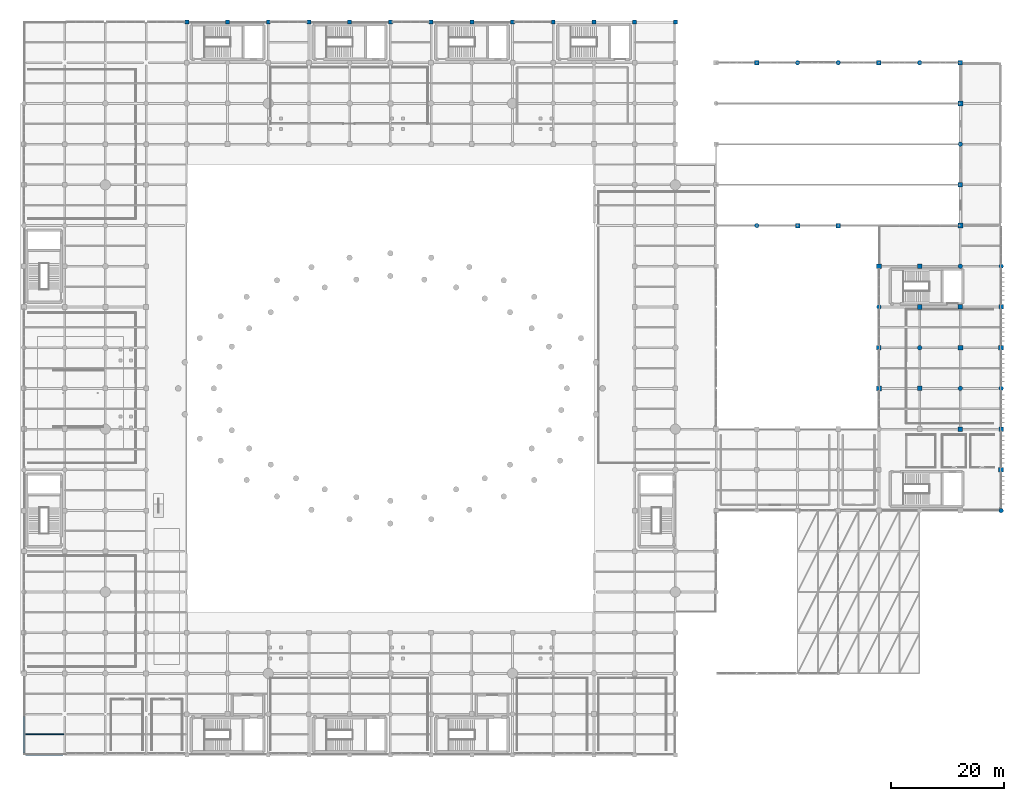
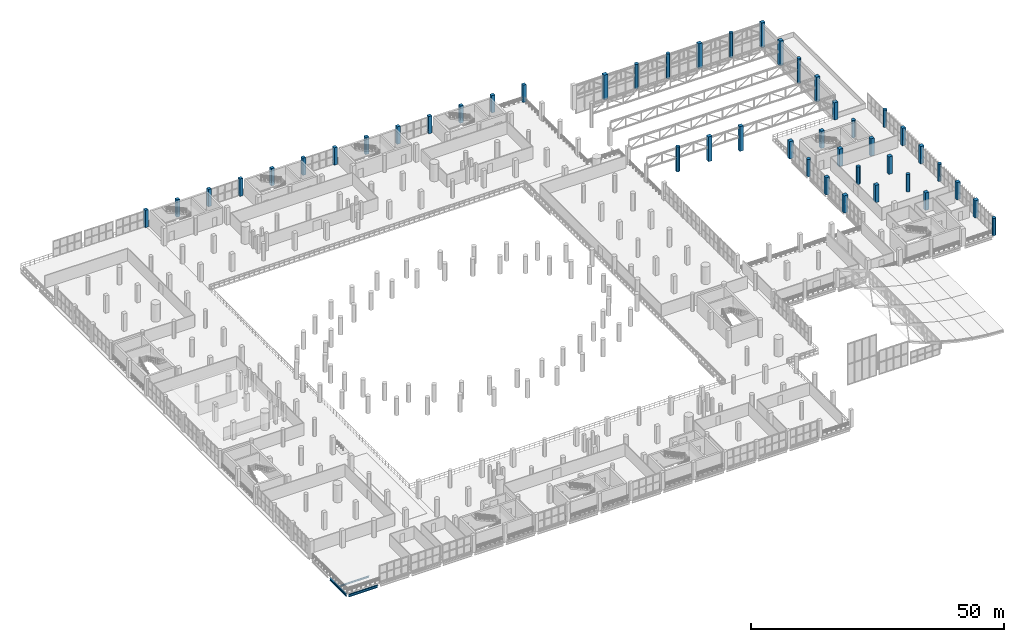
# One storey, part 4 of 153: 46 columns, 3 beams.
"""IFC4 building model written with IfcOpenShell, lengths in metres."""

from ifc_helpers import new_model, si_unit, direction, frame, origin, origin_2d, place, context, subcontext, project, spatial, rectangle, circle, i_section, extrude, material, material_profile, profile_set, type_object, element, save


model = new_model("IFC4")

# Units and contexts
model_context = context("Model", 3, precision=1e-05, world=origin(), true_north=direction((0.0, 1.0)))
body_context = subcontext(model_context, "Body", "Model", "MODEL_VIEW")
ifc_project = project(units=[si_unit("LENGTHUNIT", "METRE"), si_unit("AREAUNIT", "SQUARE_METRE"), si_unit("VOLUMEUNIT", "CUBIC_METRE"), si_unit("PLANEANGLEUNIT", "RADIAN"), si_unit("MASSUNIT", "GRAM", prefix="KILO")], contexts=[model_context])

# Site, building, storey
site_placement = place(None, origin())
site = spatial("IfcSite", under=ifc_project, at=site_placement, CompositionType="ELEMENT")
building_placement = place(site_placement, origin())
building = spatial("IfcBuilding", under=site, at=building_placement, Name="Qandorah Velis Arena", CompositionType="ELEMENT")
storey_placement = place(building_placement, frame((0.0, 0.0, 5.39990234375)))
storey = spatial("IfcBuildingStorey", under=building, at=storey_placement, Name="L01", CompositionType="ELEMENT", Elevation=5.39990234375)

# Columns
ifc_material_1 = material(Name="Concrete C40/50", Category="concrete")
ifc_material_profile_1 = material_profile(ifc_material_1, rectangle(XDim=0.699951171875, YDim=0.699951171875, at=origin_2d()), Name="RC COL 700x700")
ifc_profile_set_1 = profile_set([ifc_material_profile_1], Name="Concrete C40/50")
column_type_1 = type_object("IfcColumnType", Name="STR-COL-RC700", PredefinedType="COLUMN", material=ifc_profile_set_1)
for number, where, z_axis, x_axis, name in (
    (1, (28.800048828125, 129.60009765625, 0.0), (0.0, 0.0, 1.0), (1.0, 0.0, 0.0), "Structural column L01-067"),
    (2, (36.0, 129.60009765625, 0.0), (0.0, 0.0, 1.0), (1.0, 0.0, 0.0), "Structural column L01-075"),
    (3, (43.199951171875, 129.60009765625, 0.0), (0.0, 0.0, 1.0), (1.0, 0.0, 0.0), "Structural column L01-083"),
    (4, (50.39990234375, 129.60009765625, 0.0), (0.0, 0.0, 1.0), (1.0, 0.0, 0.0), "Structural column L01-091"),
    (5, (57.60009765625, 129.60009765625, 0.0), (0.0, 0.0, 1.0), (1.0, 0.0, 0.0), "Structural column L01-099"),
    (6, (64.800048828125, 129.60009765625, 0.0), (0.0, 0.0, 1.0), (1.0, 0.0, 0.0), "Structural column L01-107"),
    (7, (72.0, 129.60009765625, 0.0), (0.0, 0.0, 1.0), (1.0, 0.0, 0.0), "Structural column L01-115"),
    (8, (79.199951171875, 129.60009765625, 0.0), (0.0, 0.0, 1.0), (1.0, 0.0, 0.0), "Structural column L01-123"),
    (9, (86.39990234375, 129.60009765625, 0.0), (0.0, 0.0, 1.0), (1.0, 0.0, 0.0), "Structural column L01-131"),
    (10, (93.60009765625, 129.60009765625, 0.0), (0.0, 0.0, 1.0), (1.0, 0.0, 0.0), "Structural column L01-139"),
    (11, (100.800048828125, 129.60009765625, 0.0), (0.0, 0.0, 1.0), (1.0, 0.0, 0.0), "Structural column L01-147"),
    (12, (108.0, 129.60009765625, 0.0), (0.0, 0.0, 1.0), (1.0, 0.0, 0.0), "Structural column L01-166"),
    (13, (115.199951171875, 129.60009765625, 0.0), (0.0, 0.0, 1.0), (1.0, 0.0, 0.0), "Structural column L01-184"),
):
    element("IfcColumn", number, at=place(storey_placement, frame(where, z_axis=z_axis, x_axis=x_axis)), inside=storey, type_object=column_type_1, Name=name, PredefinedType="COLUMN", context=body_context, shape_type="SweptSolid", body=[
        extrude(rectangle(XDim=0.699951171875, YDim=0.699951171875, at=origin_2d()), origin(), (0.0, 0.0, 1.0), 4.2001953125),
    ])
ifc_material_profile_2 = material_profile(ifc_material_1, rectangle(XDim=0.800048828125, YDim=0.800048828125, at=origin_2d()), Name="RC COL 800x800")
ifc_profile_set_2 = profile_set([ifc_material_profile_2], Name="Concrete C40/50")
column_type_2 = type_object("IfcColumnType", Name="STR-COL-RC800", PredefinedType="COLUMN", material=ifc_profile_set_2)
for number, where, z_axis, x_axis, name in (
    (14, (136.800048828125, 93.60009765625, 0.0), (0.0, 0.0, 1.0), (1.0, 0.0, 0.0), "Structural column L01-205"),
    (15, (144.0, 93.60009765625, 0.0), (0.0, 0.0, 1.0), (1.0, 0.0, 0.0), "Structural column L01-214"),
):
    element("IfcColumn", number, at=place(storey_placement, frame(where, z_axis=z_axis, x_axis=x_axis)), inside=storey, type_object=column_type_2, Name=name, PredefinedType="COLUMN", context=body_context, shape_type="SweptSolid", body=[
        extrude(rectangle(XDim=0.800048828125, YDim=0.800048828125, at=origin_2d()), origin(), (0.0, 0.0, 1.0), 6.0),
    ])
column_1_placement = place(storey_placement, frame((151.199951171875, 72.0, 0.0), z_axis=(0.0, 0.0, 1.0), x_axis=(1.0, 0.0, 0.0)))
element("IfcColumn", 16, at=column_1_placement, inside=storey, type_object=column_type_2, Name="Structural column L01-220", PredefinedType="COLUMN", context=body_context, shape_type="SweptSolid", body=[
    extrude(rectangle(XDim=0.800048828125, YDim=0.800048828125, at=origin_2d()), origin(), (0.0, 0.0, 1.0), 4.2001953125),
])
column_2_placement = place(storey_placement, frame((151.199951171875, 122.39990234375, 0.0), z_axis=(0.0, 0.0, 1.0), x_axis=(1.0, 0.0, 0.0)))
element("IfcColumn", 17, at=column_2_placement, inside=storey, type_object=column_type_2, Name="Structural column L01-223", PredefinedType="COLUMN", context=body_context, shape_type="SweptSolid", body=[
    extrude(rectangle(XDim=0.800048828125, YDim=0.800048828125, at=origin_2d()), origin(), (0.0, 0.0, 1.0), 6.0),
])
for number, where, z_axis, x_axis, name in (
    (18, (158.39990234375, 64.800048828125, 0.0), (0.0, 0.0, 1.0), (1.0, 0.0, 0.0), "Structural column L01-226"),
    (19, (158.39990234375, 86.39990234375, 0.0), (0.0, 0.0, 1.0), (1.0, 0.0, 0.0), "Structural column L01-229"),
    (20, (165.60009765625, 57.60009765625, 0.0), (0.0, 0.0, 1.0), (1.0, 0.0, 0.0), "Structural column L01-232"),
    (21, (165.60009765625, 79.199951171875, 0.0), (0.0, 0.0, 1.0), (1.0, 0.0, 0.0), "Structural column L01-235"),
):
    element("IfcColumn", number, at=place(storey_placement, frame(where, z_axis=z_axis, x_axis=x_axis)), inside=storey, type_object=column_type_2, Name=name, PredefinedType="COLUMN", context=body_context, shape_type="SweptSolid", body=[
        extrude(rectangle(XDim=0.800048828125, YDim=0.800048828125, at=origin_2d()), origin(), (0.0, 0.0, 1.0), 4.2001953125),
    ])
for number, where, z_axis, x_axis, name in (
    (22, (165.60009765625, 100.800048828125, 0.0), (0.0, 0.0, 1.0), (1.0, 0.0, 0.0), "Structural column L01-238"),
    (23, (165.60009765625, 122.39990234375, 0.0), (0.0, 0.0, 1.0), (1.0, 0.0, 0.0), "Structural column L01-241"),
):
    element("IfcColumn", number, at=place(storey_placement, frame(where, z_axis=z_axis, x_axis=x_axis)), inside=storey, type_object=column_type_2, Name=name, PredefinedType="COLUMN", context=body_context, shape_type="SweptSolid", body=[
        extrude(rectangle(XDim=0.800048828125, YDim=0.800048828125, at=origin_2d()), origin(), (0.0, 0.0, 1.0), 6.0),
    ])
for number, where, z_axis, x_axis, name in (
    (24, (172.800048828125, 57.60009765625, 0.0), (0.0, 0.0, 1.0), (1.0, 0.0, 0.0), "Structural column L01-244"),
    (25, (172.800048828125, 79.199951171875, 0.0), (0.0, 0.0, 1.0), (1.0, 0.0, 0.0), "Structural column L01-247"),
):
    element("IfcColumn", number, at=place(storey_placement, frame(where, z_axis=z_axis, x_axis=x_axis)), inside=storey, type_object=column_type_2, Name=name, PredefinedType="COLUMN", context=body_context, shape_type="SweptSolid", body=[
        extrude(rectangle(XDim=0.800048828125, YDim=0.800048828125, at=origin_2d()), origin(), (0.0, 0.0, 1.0), 4.2001953125),
    ])
ifc_material_profile_3 = material_profile(ifc_material_1, rectangle(XDim=0.85009765625, YDim=0.85009765625, at=origin_2d()), Name="RC COL 850x850")
ifc_profile_set_3 = profile_set([ifc_material_profile_3], Name="Concrete C40/50")
column_type_3 = type_object("IfcColumnType", Name="STR-COL-RC850", PredefinedType="COLUMN", material=ifc_profile_set_3)
column_3_placement = place(storey_placement, frame((129.60009765625, 122.39990234375, 0.0), z_axis=(0.0, 0.0, 1.0), x_axis=(1.0, 0.0, 0.0)))
element("IfcColumn", 26, at=column_3_placement, inside=storey, type_object=column_type_3, Name="Structural column L01-201", PredefinedType="COLUMN", context=body_context, shape_type="SweptSolid", body=[
    extrude(rectangle(XDim=0.85009765625, YDim=0.85009765625, at=origin_2d()), origin(), (0.0, 0.0, 1.0), 6.0),
])
for number, where, z_axis, x_axis, name in (
    (27, (151.199951171875, 64.800048828125, 0.0), (0.0, 0.0, 1.0), (1.0, 0.0, 0.0), "Structural column L01-219"),
    (28, (151.199951171875, 86.39990234375, 0.0), (0.0, 0.0, 1.0), (1.0, 0.0, 0.0), "Structural column L01-222"),
    (29, (158.39990234375, 79.199951171875, 0.0), (0.0, 0.0, 1.0), (1.0, 0.0, 0.0), "Structural column L01-228"),
    (30, (165.60009765625, 72.0, 0.0), (0.0, 0.0, 1.0), (1.0, 0.0, 0.0), "Structural column L01-234"),
    (31, (165.60009765625, 93.60009765625, 0.0), (0.0, 0.0, 1.0), (1.0, 0.0, 0.0), "Structural column L01-237"),
):
    element("IfcColumn", number, at=place(storey_placement, frame(where, z_axis=z_axis, x_axis=x_axis)), inside=storey, type_object=column_type_3, Name=name, PredefinedType="COLUMN", context=body_context, shape_type="SweptSolid", body=[
        extrude(rectangle(XDim=0.85009765625, YDim=0.85009765625, at=origin_2d()), origin(), (0.0, 0.0, 1.0), 4.2001953125),
    ])
column_4_placement = place(storey_placement, frame((165.60009765625, 115.199951171875, 0.0), z_axis=(0.0, 0.0, 1.0), x_axis=(1.0, 0.0, 0.0)))
element("IfcColumn", 32, at=column_4_placement, inside=storey, type_object=column_type_3, Name="Structural column L01-240", PredefinedType="COLUMN", context=body_context, shape_type="SweptSolid", body=[
    extrude(rectangle(XDim=0.85009765625, YDim=0.85009765625, at=origin_2d()), origin(), (0.0, 0.0, 1.0), 6.0),
])
for number, where, z_axis, x_axis, name in (
    (33, (172.800048828125, 50.39990234375, 0.0), (0.0, 0.0, 1.0), (1.0, 0.0, 0.0), "Structural column L01-243"),
    (34, (172.800048828125, 72.0, 0.0), (0.0, 0.0, 1.0), (1.0, 0.0, 0.0), "Structural column L01-246"),
):
    element("IfcColumn", number, at=place(storey_placement, frame(where, z_axis=z_axis, x_axis=x_axis)), inside=storey, type_object=column_type_3, Name=name, PredefinedType="COLUMN", context=body_context, shape_type="SweptSolid", body=[
        extrude(rectangle(XDim=0.85009765625, YDim=0.85009765625, at=origin_2d()), origin(), (0.0, 0.0, 1.0), 4.2001953125),
    ])
ifc_material_profile_4 = material_profile(ifc_material_1, circle(Radius=0.39990234375, at=origin_2d()), Name="RC D800")
ifc_profile_set_4 = profile_set([ifc_material_profile_4], Name="Concrete C40/50")
column_type_4 = type_object("IfcColumnType", Name="STR-COL-RCD800", PredefinedType="COLUMN", material=ifc_profile_set_4)
for number, where, z_axis, x_axis, name in (
    (35, (129.60009765625, 93.60009765625, 0.0), (0.0, 0.0, 1.0), (1.0, 0.0, 0.0), "Structural column L01-200"),
    (36, (136.800048828125, 122.39990234375, 0.0), (0.0, 0.0, 1.0), (1.0, 0.0, 0.0), "Structural column L01-206"),
    (37, (144.0, 122.39990234375, 0.0), (0.0, 0.0, 1.0), (1.0, 0.0, 0.0), "Structural column L01-215"),
):
    element("IfcColumn", number, at=place(storey_placement, frame(where, z_axis=z_axis, x_axis=x_axis)), inside=storey, type_object=column_type_4, Name=name, PredefinedType="COLUMN", context=body_context, shape_type="SweptSolid", body=[
        extrude(circle(Radius=0.39990234375, at=origin_2d()), origin(), (0.0, 0.0, 1.0), 6.0),
    ])
for number, where, z_axis, x_axis, name in (
    (38, (151.199951171875, 79.199951171875, 0.0), (0.0, 0.0, 1.0), (1.0, 0.0, 0.0), "Structural column L01-221"),
    (39, (158.39990234375, 72.0, 0.0), (0.0, 0.0, 1.0), (1.0, 0.0, 0.0), "Structural column L01-227"),
):
    element("IfcColumn", number, at=place(storey_placement, frame(where, z_axis=z_axis, x_axis=x_axis)), inside=storey, type_object=column_type_4, Name=name, PredefinedType="COLUMN", context=body_context, shape_type="SweptSolid", body=[
        extrude(circle(Radius=0.39990234375, at=origin_2d()), origin(), (0.0, 0.0, 1.0), 4.2001953125),
    ])
column_5_placement = place(storey_placement, frame((158.39990234375, 122.39990234375, 0.0), z_axis=(0.0, 0.0, 1.0), x_axis=(1.0, 0.0, 0.0)))
element("IfcColumn", 40, at=column_5_placement, inside=storey, type_object=column_type_4, Name="Structural column L01-230", PredefinedType="COLUMN", context=body_context, shape_type="SweptSolid", body=[
    extrude(circle(Radius=0.39990234375, at=origin_2d()), origin(), (0.0, 0.0, 1.0), 6.0),
])
for number, where, z_axis, x_axis, name in (
    (41, (165.60009765625, 64.800048828125, 0.0), (0.0, 0.0, 1.0), (1.0, 0.0, 0.0), "Structural column L01-233"),
    (42, (165.60009765625, 86.39990234375, 0.0), (0.0, 0.0, 1.0), (1.0, 0.0, 0.0), "Structural column L01-236"),
):
    element("IfcColumn", number, at=place(storey_placement, frame(where, z_axis=z_axis, x_axis=x_axis)), inside=storey, type_object=column_type_4, Name=name, PredefinedType="COLUMN", context=body_context, shape_type="SweptSolid", body=[
        extrude(circle(Radius=0.39990234375, at=origin_2d()), origin(), (0.0, 0.0, 1.0), 4.2001953125),
    ])
column_6_placement = place(storey_placement, frame((165.60009765625, 108.0, 0.0), z_axis=(0.0, 0.0, 1.0), x_axis=(1.0, 0.0, 0.0)))
element("IfcColumn", 43, at=column_6_placement, inside=storey, type_object=column_type_4, Name="Structural column L01-239", PredefinedType="COLUMN", context=body_context, shape_type="SweptSolid", body=[
    extrude(circle(Radius=0.39990234375, at=origin_2d()), origin(), (0.0, 0.0, 1.0), 6.0),
])
for number, where, z_axis, x_axis, name in (
    (44, (172.800048828125, 43.199951171875, 0.0), (0.0, 0.0, 1.0), (1.0, 0.0, 0.0), "Structural column L01-242"),
    (45, (172.800048828125, 64.800048828125, 0.0), (0.0, 0.0, 1.0), (1.0, 0.0, 0.0), "Structural column L01-245"),
    (46, (172.800048828125, 86.39990234375, 0.0), (0.0, 0.0, 1.0), (1.0, 0.0, 0.0), "Structural column L01-248"),
):
    element("IfcColumn", number, at=place(storey_placement, frame(where, z_axis=z_axis, x_axis=x_axis)), inside=storey, type_object=column_type_4, Name=name, PredefinedType="COLUMN", context=body_context, shape_type="SweptSolid", body=[
        extrude(circle(Radius=0.39990234375, at=origin_2d()), origin(), (0.0, 0.0, 1.0), 4.2001953125),
    ])

# Beams
ifc_material_2 = material(Name="Steel S355", Category="steel")
ifc_material_profile_5 = material_profile(ifc_material_2, i_section(OverallWidth=0.300048828125, OverallDepth=0.550048828125, WebThickness=0.014892578125, FlangeThickness=0.029052734375, FilletRadius=0.027099609375, at=origin_2d()), Name="HEB 550")
ifc_profile_set_5 = profile_set([ifc_material_profile_5], Name="Steel S355")
beam_type_1 = type_object("IfcBeamType", Name="STR-BM-HEB550", PredefinedType="BEAM", material=ifc_profile_set_5)
beam_1_placement = place(storey_placement, frame((0.0, 0.300048828125, -0.635009765625), z_axis=(0.0, 1.0, 0.0), x_axis=(-1.0, 0.0, 0.0)))
element("IfcBeam", 47, at=beam_1_placement, inside=storey, type_object=beam_type_1, Name="Primary floor girder L01 Y-220", PredefinedType="BEAM", context=body_context, shape_type="SweptSolid", body=[
    extrude(i_section(OverallWidth=0.300048828125, OverallDepth=0.550048828125, WebThickness=0.014892578125, FlangeThickness=0.029052734375, FilletRadius=0.027099609375, at=origin_2d()), origin(), (0.0, 0.0, 1.0), 6.5),
])
ifc_material_profile_6 = material_profile(ifc_material_2, i_section(OverallWidth=0.300048828125, OverallDepth=0.60009765625, WebThickness=0.015380859375, FlangeThickness=0.030029296875, FilletRadius=0.027099609375, at=origin_2d()), Name="HEB 600")
ifc_profile_set_6 = profile_set([ifc_material_profile_6], Name="Steel S355")
beam_type_2 = type_object("IfcBeamType", Name="STR-BM-HEB600", PredefinedType="BEAM", material=ifc_profile_set_6)
beam_2_placement = place(storey_placement, frame((0.300048828125, 0.0, -0.659912109375), z_axis=(1.0, 0.0, 0.0), x_axis=(0.0, 1.0, 0.0)))
element("IfcBeam", 48, at=beam_2_placement, inside=storey, type_object=beam_type_2, Name="Primary floor girder L01 X-001", PredefinedType="BEAM", context=body_context, shape_type="SweptSolid", body=[
    extrude(i_section(OverallWidth=0.300048828125, OverallDepth=0.60009765625, WebThickness=0.015380859375, FlangeThickness=0.030029296875, FilletRadius=0.027099609375, at=origin_2d()), origin(), (0.0, 0.0, 1.0), 6.599853515625),
])
ifc_material_profile_7 = material_profile(ifc_material_2, i_section(OverallWidth=0.179931640625, OverallDepth=0.39990234375, WebThickness=0.008544921875, FlangeThickness=0.013427734375, FilletRadius=0.02099609375, at=origin_2d()), Name="IPE 400")
ifc_profile_set_7 = profile_set([ifc_material_profile_7], Name="Steel S355")
beam_type_3 = type_object("IfcBeamType", Name="STR-JST-IPE400", PredefinedType="JOIST", material=ifc_profile_set_7)
beam_3_placement = place(storey_placement, frame((0.135009765625, 3.60009765625, -0.559814453125), z_axis=(1.0, 0.0, 0.0), x_axis=(0.0, 1.0, 0.0)))
element("IfcBeam", 49, at=beam_3_placement, inside=storey, type_object=beam_type_3, Name="Secondary floor joist L01-001", PredefinedType="JOIST", context=body_context, shape_type="SweptSolid", body=[
    extrude(i_section(OverallWidth=0.179931640625, OverallDepth=0.39990234375, WebThickness=0.008544921875, FlangeThickness=0.013427734375, FilletRadius=0.02099609375, at=origin_2d()), origin(), (0.0, 0.0, 1.0), 6.929931640625),
])

save(model, "model.ifc")
